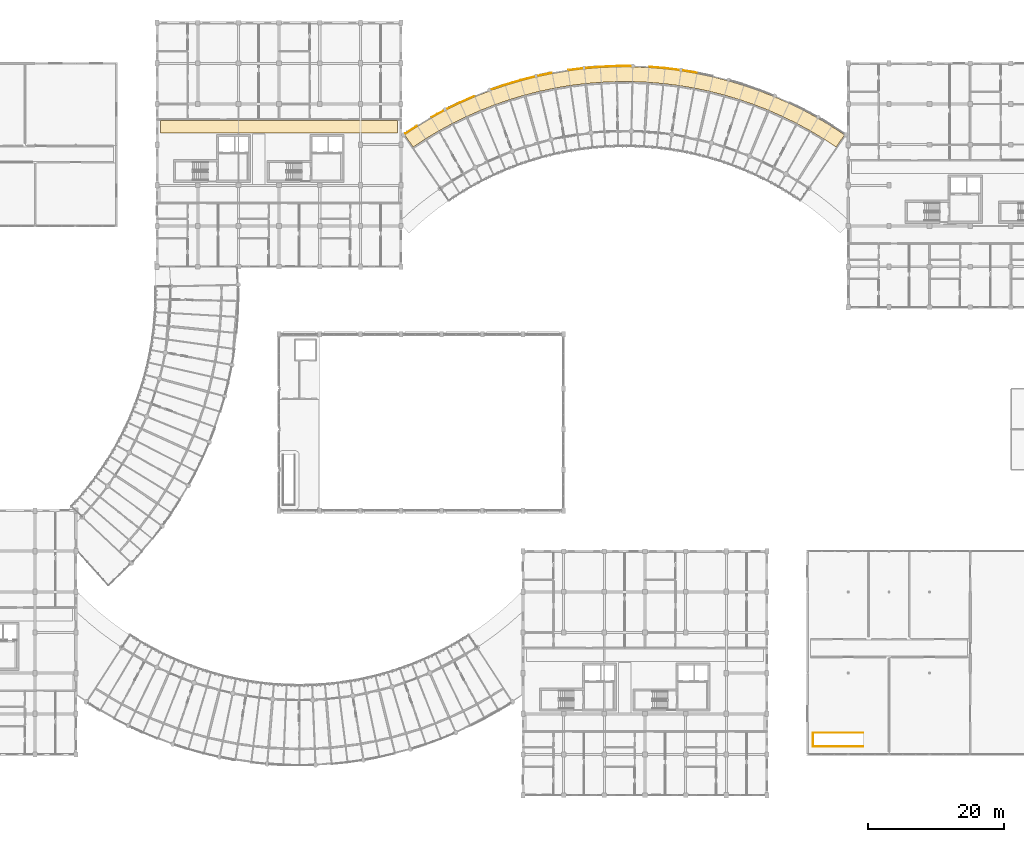
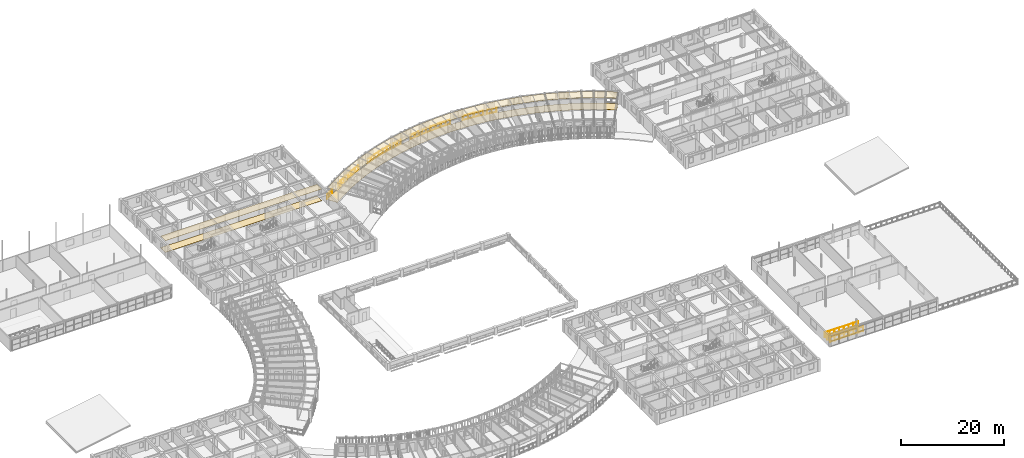
# One storey, part 133 of 137: 18 railings, 4 coverings.
"""IFC4 building model written with IfcOpenShell, lengths in metres."""

from ifc_helpers import new_model, si_unit, direction, frame, origin, origin_2d, place, context, subcontext, project, spatial, polyline, circle, outline, extrude, material, layer, layer_set, type_object, element, save


model = new_model("IFC4")

# Units and contexts
model_context = context("Model", 3, precision=1e-05, world=origin(), true_north=direction((0.0, 1.0)))
body_context = subcontext(model_context, "Body", "Model", "MODEL_VIEW")
ifc_project = project(units=[si_unit("LENGTHUNIT", "METRE"), si_unit("AREAUNIT", "SQUARE_METRE"), si_unit("VOLUMEUNIT", "CUBIC_METRE"), si_unit("PLANEANGLEUNIT", "RADIAN"), si_unit("MASSUNIT", "GRAM", prefix="KILO"), si_unit("POWERUNIT", "WATT"), si_unit("THERMODYNAMICTEMPERATUREUNIT", "KELVIN")], contexts=[model_context])

# Site, building, storey
site_placement = place(None, origin())
site = spatial("IfcSite", under=ifc_project, at=site_placement, CompositionType="ELEMENT")
building_placement = place(site_placement, origin())
building = spatial("IfcBuilding", under=site, at=building_placement, Name="Ruvembo Vaulted Housing Court", CompositionType="ELEMENT")
storey_placement = place(building_placement, frame((0.0, 0.0, 4.5)))
storey = spatial("IfcBuildingStorey", under=building, at=storey_placement, Name="L01", CompositionType="ELEMENT", Elevation=4.5)

# Coverings
ifc_material_1 = material(Name="Perforated Mineral-Fibre Acoustic Tile", Category="gypsum")
ifc_layer_1 = layer(ifc_material_1, 0.02001953125, Name="Perforated Mineral-Fibre Acoustic Tile")
ifc_layer_set_1 = layer_set([ifc_layer_1], Name="Perforated Mineral-Fibre Acoustic Tile")
covering_type_1 = type_object("IfcCoveringType", Name="COV-CEIL-ACOUST", PredefinedType="CEILING", material=ifc_layer_set_1)
covering_1_placement = place(storey_placement, frame((0.0, 0.0, 2.75)))
element("IfcCovering", 1, at=covering_1_placement, inside=storey, type_object=covering_type_1, Name="Block B L01 North Sub-Corridor Ceiling", PredefinedType="CEILING", context=body_context, shape_type="SweptSolid", body=[
    extrude(outline(polyline([(83.489990234375, 97.7099609375), (83.489990234375, 99.590087890625), (48.510009765625, 99.590087890625), (48.510009765625, 97.7099609375), (83.489990234375, 97.7099609375)])), origin(), (0.0, 0.0, 1.0), 0.02001953125),
])
covering_2_placement = place(storey_placement, frame((0.0, 0.0, 2.75)))
element("IfcCovering", 2, at=covering_2_placement, inside=storey, type_object=covering_type_1, Name="Scoop SC3 L01 Shaded Access Gallery Ceiling", PredefinedType="CEILING", context=body_context, shape_type="SweptSolid", body=[
    extrude(outline(polyline([(86.443115234375, 98.69677734375), (84.54052734375, 97.447021484375), (85.77490234375, 95.650390625), (87.599853515625, 96.848876953125), (87.603759765625, 96.851318359375), (89.5693359375, 98.02880859375), (89.5732421875, 98.031005859375), (91.5859375, 99.12548828125), (91.590087890625, 99.127685546875), (93.646484375, 100.137939453125), (93.650634765625, 100.139892578125), (95.747314453125, 101.06396484375), (95.751708984375, 101.065673828125), (97.884765625, 101.90185546875), (97.888916015625, 101.9033203125), (100.054931640625, 102.650390625), (100.059326171875, 102.65185546875), (102.25439453125, 103.30810546875), (102.2587890625, 103.309326171875), (104.4794921875, 103.874267578125), (104.48388671875, 103.875244140625), (106.725830078125, 104.347412109375), (106.73046875, 104.348388671875), (108.990234375, 104.72705078125), (108.99462890625, 104.7275390625), (111.26806640625, 105.01220703125), (111.272705078125, 105.0126953125), (113.55615234375, 105.20263671875), (113.560546875, 105.202880859375), (115.849853515625, 105.298095703125), (115.8544921875, 105.298095703125), (118.1455078125, 105.298095703125), (118.150146484375, 105.298095703125), (120.439453125, 105.202880859375), (120.44384765625, 105.20263671875), (122.727294921875, 105.0126953125), (122.73193359375, 105.01220703125), (125.00537109375, 104.7275390625), (125.009765625, 104.72705078125), (127.26953125, 104.348388671875), (127.274169921875, 104.347412109375), (129.51611328125, 103.875244140625), (129.5205078125, 103.874267578125), (131.7412109375, 103.309326171875), (131.74560546875, 103.30810546875), (133.940673828125, 102.65185546875), (133.945068359375, 102.650390625), (136.111083984375, 101.9033203125), (136.115234375, 101.90185546875), (138.248291015625, 101.065673828125), (138.252685546875, 101.06396484375), (140.349365234375, 100.139892578125), (140.353515625, 100.137939453125), (142.409912109375, 99.127685546875), (142.4140625, 99.12548828125), (144.4267578125, 98.031005859375), (144.4306640625, 98.02880859375), (146.396484375, 96.851318359375), (146.400390625, 96.848876953125), (148.22509765625, 95.650390625), (149.45947265625, 97.447021484375), (147.556884765625, 98.69677734375), (145.509765625, 99.9228515625), (143.41357421875, 101.06298828125), (141.271728515625, 102.114990234375), (139.088134765625, 103.077392578125), (136.866455078125, 103.948486328125), (134.610595703125, 104.726318359375), (132.324462890625, 105.409912109375), (130.01171875, 105.998046875), (127.6767578125, 106.489990234375), (125.3232421875, 106.88427734375), (122.955322265625, 107.1806640625), (120.577392578125, 107.378662109375), (118.193115234375, 107.4775390625), (115.806884765625, 107.4775390625), (113.422607421875, 107.378662109375), (111.044677734375, 107.1806640625), (108.6767578125, 106.88427734375), (106.3232421875, 106.489990234375), (103.98828125, 105.998046875), (101.675537109375, 105.409912109375), (99.389404296875, 104.726318359375), (97.133544921875, 103.948486328125), (94.911865234375, 103.077392578125), (92.728271484375, 102.114990234375), (90.58642578125, 101.06298828125), (88.490234375, 99.9228515625), (86.443115234375, 98.69677734375)])), origin(), (0.0, 0.0, 1.0), 0.02001953125),
])
ifc_material_2 = material(Name="Polished Cement-Aggregate Terrazzo", Category="stone")
ifc_layer_2 = layer(ifc_material_2, 0.02197265625, Name="Polished Cement-Aggregate Terrazzo")
ifc_layer_set_2 = layer_set([ifc_layer_2], Name="Polished Cement-Aggregate Terrazzo")
covering_type_2 = type_object("IfcCoveringType", Name="COV-FLR-CERAMIC", PredefinedType="FLOORING", material=ifc_layer_set_2)
covering_3_placement = place(storey_placement, origin())
element("IfcCovering", 3, at=covering_3_placement, inside=storey, type_object=covering_type_2, Name="Block B L01 North Sub-Corridor Flooring", PredefinedType="FLOORING", context=body_context, shape_type="SweptSolid", body=[
    extrude(outline(polyline([(83.489990234375, 97.7099609375), (83.489990234375, 99.590087890625), (48.510009765625, 99.590087890625), (48.510009765625, 97.7099609375), (83.489990234375, 97.7099609375)])), origin(), (0.0, 0.0, 1.0), 0.02197265625),
])
covering_4_placement = place(storey_placement, origin())
element("IfcCovering", 4, at=covering_4_placement, inside=storey, type_object=covering_type_2, Name="Scoop SC3 L01 Shaded Access Gallery Flooring", PredefinedType="FLOORING", context=body_context, shape_type="SweptSolid", body=[
    extrude(outline(polyline([(86.443115234375, 98.69677734375), (84.54052734375, 97.447021484375), (85.77490234375, 95.650390625), (87.599853515625, 96.848876953125), (87.603759765625, 96.851318359375), (89.5693359375, 98.02880859375), (89.5732421875, 98.031005859375), (91.5859375, 99.12548828125), (91.590087890625, 99.127685546875), (93.646484375, 100.137939453125), (93.650634765625, 100.139892578125), (95.747314453125, 101.06396484375), (95.751708984375, 101.065673828125), (97.884765625, 101.90185546875), (97.888916015625, 101.9033203125), (100.054931640625, 102.650390625), (100.059326171875, 102.65185546875), (102.25439453125, 103.30810546875), (102.2587890625, 103.309326171875), (104.4794921875, 103.874267578125), (104.48388671875, 103.875244140625), (106.725830078125, 104.347412109375), (106.73046875, 104.348388671875), (108.990234375, 104.72705078125), (108.99462890625, 104.7275390625), (111.26806640625, 105.01220703125), (111.272705078125, 105.0126953125), (113.55615234375, 105.20263671875), (113.560546875, 105.202880859375), (115.849853515625, 105.298095703125), (115.8544921875, 105.298095703125), (118.1455078125, 105.298095703125), (118.150146484375, 105.298095703125), (120.439453125, 105.202880859375), (120.44384765625, 105.20263671875), (122.727294921875, 105.0126953125), (122.73193359375, 105.01220703125), (125.00537109375, 104.7275390625), (125.009765625, 104.72705078125), (127.26953125, 104.348388671875), (127.274169921875, 104.347412109375), (129.51611328125, 103.875244140625), (129.5205078125, 103.874267578125), (131.7412109375, 103.309326171875), (131.74560546875, 103.30810546875), (133.940673828125, 102.65185546875), (133.945068359375, 102.650390625), (136.111083984375, 101.9033203125), (136.115234375, 101.90185546875), (138.248291015625, 101.065673828125), (138.252685546875, 101.06396484375), (140.349365234375, 100.139892578125), (140.353515625, 100.137939453125), (142.409912109375, 99.127685546875), (142.4140625, 99.12548828125), (144.4267578125, 98.031005859375), (144.4306640625, 98.02880859375), (146.396484375, 96.851318359375), (146.400390625, 96.848876953125), (148.22509765625, 95.650390625), (149.45947265625, 97.447021484375), (147.556884765625, 98.69677734375), (145.509765625, 99.9228515625), (143.41357421875, 101.06298828125), (141.271728515625, 102.114990234375), (139.088134765625, 103.077392578125), (136.866455078125, 103.948486328125), (134.610595703125, 104.726318359375), (132.324462890625, 105.409912109375), (130.01171875, 105.998046875), (127.6767578125, 106.489990234375), (125.3232421875, 106.88427734375), (122.955322265625, 107.1806640625), (120.577392578125, 107.378662109375), (118.193115234375, 107.4775390625), (115.806884765625, 107.4775390625), (113.422607421875, 107.378662109375), (111.044677734375, 107.1806640625), (108.6767578125, 106.88427734375), (106.3232421875, 106.489990234375), (103.98828125, 105.998046875), (101.675537109375, 105.409912109375), (99.389404296875, 104.726318359375), (97.133544921875, 103.948486328125), (94.911865234375, 103.077392578125), (92.728271484375, 102.114990234375), (90.58642578125, 101.06298828125), (88.490234375, 99.9228515625), (86.443115234375, 98.69677734375)])), origin(), (0.0, 0.0, 1.0), 0.02197265625),
])

# Railings
ifc_material_3 = material(Name="Galvanised Painted Steel and Laminated Glass", Category="steel")
ifc_layer_3 = layer(ifc_material_3, 0.070068359375, Name="Galvanised Painted Steel and Laminated Glass")
ifc_layer_set_3 = layer_set([ifc_layer_3], Name="Galvanised Painted Steel and Laminated Glass")
railing_type_1 = type_object("IfcRailingType", Name="RL-BALUST-1120", PredefinedType="BALUSTRADE", material=ifc_layer_set_3)
railing_1_placement = place(storey_placement, frame((84.6787109375, 97.66943359375, 0.0)))
element("IfcRailing", 5, at=railing_1_placement, inside=storey, type_object=railing_type_1, Name="L01 Perimeter Guard RL-EXT-L01-0585", PredefinedType="BALUSTRADE", context=body_context, shape_type="SweptSolid", body=[
    extrude(circle(Radius=0.02392578125, at=origin_2d()), frame((0.0, 0.0, 1.09619140625), z_axis=(0.835822843762, 0.548999247582, 0.0), x_axis=(-0.548999247582, 0.835822843762, 0.0)), (0.0, 0.0, 1.0), 1.990966796875),
    extrude(circle(Radius=0.01806640625, at=origin_2d()), frame((0.0, 0.0, 0.1201171875), z_axis=(0.835822843762, 0.548999247582, 0.0), x_axis=(-0.548999247582, 0.835822843762, 0.0)), (0.0, 0.0, 1.0), 1.990966796875),
    extrude(circle(Radius=0.02099609375, at=origin_2d()), origin(), (0.0, 0.0, 1.0), 1.072021484375),
    extrude(circle(Radius=0.02099609375, at=origin_2d()), frame((0.83203125, 0.54638671875, 0.0)), (0.0, 0.0, 1.0), 1.072021484375),
    extrude(circle(Radius=0.02099609375, at=origin_2d()), frame((1.6640625, 1.093017578125, 0.0)), (0.0, 0.0, 1.0), 1.072021484375),
])
railing_2_placement = place(storey_placement, frame((88.4794921875, 100.042236328125, 0.0)))
element("IfcRailing", 6, at=railing_2_placement, inside=storey, type_object=railing_type_1, Name="L01 Perimeter Guard RL-EXT-L01-0586", PredefinedType="BALUSTRADE", context=body_context, shape_type="SweptSolid", body=[
    extrude(circle(Radius=0.02392578125, at=origin_2d()), frame((0.0, 0.0, 1.09619140625), z_axis=(0.878494737544, 0.477752023656, 0.0), x_axis=(-0.477752023656, 0.878494737544, 0.0)), (0.0, 0.0, 1.0), 1.990966796875),
    extrude(circle(Radius=0.01806640625, at=origin_2d()), frame((0.0, 0.0, 0.1201171875), z_axis=(0.878494737544, 0.477752023656, 0.0), x_axis=(-0.477752023656, 0.878494737544, 0.0)), (0.0, 0.0, 1.0), 1.990966796875),
    extrude(circle(Radius=0.02099609375, at=origin_2d()), origin(), (0.0, 0.0, 1.0), 1.072021484375),
    extrude(circle(Radius=0.02099609375, at=origin_2d()), frame((0.87451171875, 0.4755859375, 0.0)), (0.0, 0.0, 1.0), 1.072021484375),
    extrude(circle(Radius=0.02099609375, at=origin_2d()), frame((1.7490234375, 0.951171875, 0.0)), (0.0, 0.0, 1.0), 1.072021484375),
])
railing_3_placement = place(storey_placement, frame((90.85009765625, 101.31494140625, 0.0)))
element("IfcRailing", 7, at=railing_3_placement, inside=storey, type_object=railing_type_1, Name="L01 Perimeter Guard RL-EXT-L01-0587", PredefinedType="BALUSTRADE", context=body_context, shape_type="SweptSolid", body=[
    extrude(circle(Radius=0.02392578125, at=origin_2d()), frame((0.0, 0.0, 1.09619140625), z_axis=(0.897520268648, 0.440973204817, 0.0), x_axis=(-0.440973204817, 0.897520268648, 0.0)), (0.0, 0.0, 1.0), 1.990966796875),
    extrude(circle(Radius=0.01806640625, at=origin_2d()), frame((0.0, 0.0, 0.1201171875), z_axis=(0.897520268648, 0.440973204817, 0.0), x_axis=(-0.440973204817, 0.897520268648, 0.0)), (0.0, 0.0, 1.0), 1.990966796875),
    extrude(circle(Radius=0.02099609375, at=origin_2d()), origin(), (0.0, 0.0, 1.0), 1.072021484375),
    extrude(circle(Radius=0.02099609375, at=origin_2d()), frame((0.8935546875, 0.43896484375, 0.0)), (0.0, 0.0, 1.0), 1.072021484375),
    extrude(circle(Radius=0.02099609375, at=origin_2d()), frame((1.786865234375, 0.8779296875, 0.0)), (0.0, 0.0, 1.0), 1.072021484375),
])
railing_4_placement = place(storey_placement, frame((92.7275390625, 102.235107421875, 0.0)))
element("IfcRailing", 8, at=railing_4_placement, inside=storey, type_object=railing_type_1, Name="L01 Perimeter Guard RL-EXT-L01-0588", PredefinedType="BALUSTRADE", context=body_context, shape_type="SweptSolid", body=[
    extrude(circle(Radius=0.02392578125, at=origin_2d()), frame((0.0, 0.0, 1.09619140625), z_axis=(0.915112182251, 0.403199322788, 0.0), x_axis=(-0.403199322788, 0.915112182251, 0.0)), (0.0, 0.0, 1.0), 2.29052734375),
    extrude(circle(Radius=0.01806640625, at=origin_2d()), frame((0.0, 0.0, 0.1201171875), z_axis=(0.915112182251, 0.403199322788, 0.0), x_axis=(-0.403199322788, 0.915112182251, 0.0)), (0.0, 0.0, 1.0), 2.29052734375),
    extrude(circle(Radius=0.02099609375, at=origin_2d()), origin(), (0.0, 0.0, 1.0), 1.072021484375),
    extrude(circle(Radius=0.02099609375, at=origin_2d()), frame((1.048095703125, 0.4619140625, 0.0)), (0.0, 0.0, 1.0), 1.072021484375),
    extrude(circle(Radius=0.02099609375, at=origin_2d()), frame((2.09619140625, 0.923583984375, 0.0)), (0.0, 0.0, 1.0), 1.072021484375),
])
railing_5_placement = place(storey_placement, frame((97.426513671875, 104.165771484375, 0.0)))
element("IfcRailing", 9, at=railing_5_placement, inside=storey, type_object=railing_type_1, Name="L01 Perimeter Guard RL-EXT-L01-0589", PredefinedType="BALUSTRADE", context=body_context, shape_type="SweptSolid", body=[
    extrude(circle(Radius=0.02392578125, at=origin_2d()), frame((0.0, 0.0, 1.09619140625), z_axis=(0.945370374838, 0.325998242906, 0.0), x_axis=(-0.325998242906, 0.945370374838, 0.0)), (0.0, 0.0, 1.0), 1.990478515625),
    extrude(circle(Radius=0.01806640625, at=origin_2d()), frame((0.0, 0.0, 0.1201171875), z_axis=(0.945370374838, 0.325998242906, 0.0), x_axis=(-0.325998242906, 0.945370374838, 0.0)), (0.0, 0.0, 1.0), 1.990478515625),
    extrude(circle(Radius=0.02099609375, at=origin_2d()), origin(), (0.0, 0.0, 1.0), 1.072021484375),
    extrude(circle(Radius=0.02099609375, at=origin_2d()), frame((0.94091796875, 0.324462890625, 0.0)), (0.0, 0.0, 1.0), 1.072021484375),
    extrude(circle(Radius=0.02099609375, at=origin_2d()), frame((1.8818359375, 0.64892578125, 0.0)), (0.0, 0.0, 1.0), 1.072021484375),
])
railing_6_placement = place(storey_placement, frame((99.403564453125, 104.84521484375, 0.0)))
element("IfcRailing", 10, at=railing_6_placement, inside=storey, type_object=railing_type_1, Name="L01 Perimeter Guard RL-EXT-L01-0590", PredefinedType="BALUSTRADE", context=body_context, shape_type="SweptSolid", body=[
    extrude(circle(Radius=0.02392578125, at=origin_2d()), frame((0.0, 0.0, 1.09619140625), z_axis=(0.958060614502, 0.28656562763, 0.0), x_axis=(-0.28656562763, 0.958060614502, 0.0)), (0.0, 0.0, 1.0), 2.291015625),
    extrude(circle(Radius=0.01806640625, at=origin_2d()), frame((0.0, 0.0, 0.1201171875), z_axis=(0.958060614502, 0.28656562763, 0.0), x_axis=(-0.28656562763, 0.958060614502, 0.0)), (0.0, 0.0, 1.0), 2.291015625),
    extrude(circle(Radius=0.02099609375, at=origin_2d()), origin(), (0.0, 0.0, 1.0), 1.072021484375),
    extrude(circle(Radius=0.02099609375, at=origin_2d()), frame((1.097412109375, 0.328125, 0.0)), (0.0, 0.0, 1.0), 1.072021484375),
    extrude(circle(Radius=0.02099609375, at=origin_2d()), frame((2.19482421875, 0.656494140625, 0.0)), (0.0, 0.0, 1.0), 1.072021484375),
])
railing_7_placement = place(storey_placement, frame((101.69482421875, 105.5283203125, 0.0)))
element("IfcRailing", 11, at=railing_7_placement, inside=storey, type_object=railing_type_1, Name="L01 Perimeter Guard RL-EXT-L01-0591", PredefinedType="BALUSTRADE", context=body_context, shape_type="SweptSolid", body=[
    extrude(circle(Radius=0.02392578125, at=origin_2d()), frame((0.0, 0.0, 1.09619140625), z_axis=(0.969146191612, 0.246486631044, 0.0), x_axis=(-0.246486631044, 0.969146191612, 0.0)), (0.0, 0.0, 1.0), 1.990966796875),
    extrude(circle(Radius=0.01806640625, at=origin_2d()), frame((0.0, 0.0, 0.1201171875), z_axis=(0.969146191612, 0.246486631044, 0.0), x_axis=(-0.246486631044, 0.969146191612, 0.0)), (0.0, 0.0, 1.0), 1.990966796875),
    extrude(circle(Radius=0.02099609375, at=origin_2d()), origin(), (0.0, 0.0, 1.0), 1.072021484375),
    extrude(circle(Radius=0.02099609375, at=origin_2d()), frame((0.96484375, 0.245361328125, 0.0)), (0.0, 0.0, 1.0), 1.072021484375),
    extrude(circle(Radius=0.02099609375, at=origin_2d()), frame((1.929443359375, 0.49072265625, 0.0)), (0.0, 0.0, 1.0), 1.072021484375),
])
railing_8_placement = place(storey_placement, frame((104.305908203125, 106.177490234375, 0.0)))
element("IfcRailing", 12, at=railing_8_placement, inside=storey, type_object=railing_type_1, Name="L01 Perimeter Guard RL-EXT-L01-0592", PredefinedType="BALUSTRADE", context=body_context, shape_type="SweptSolid", body=[
    extrude(circle(Radius=0.02392578125, at=origin_2d()), frame((0.0, 0.0, 1.09619140625), z_axis=(0.978544579794, 0.206035204168, 0.0), x_axis=(-0.206035204168, 0.978544579794, 0.0)), (0.0, 0.0, 1.0), 1.99072265625),
    extrude(circle(Radius=0.01806640625, at=origin_2d()), frame((0.0, 0.0, 0.1201171875), z_axis=(0.978544579794, 0.206035204168, 0.0), x_axis=(-0.206035204168, 0.978544579794, 0.0)), (0.0, 0.0, 1.0), 1.99072265625),
    extrude(circle(Radius=0.02099609375, at=origin_2d()), origin(), (0.0, 0.0, 1.0), 1.072021484375),
    extrude(circle(Radius=0.02099609375, at=origin_2d()), frame((0.97412109375, 0.205078125, 0.0)), (0.0, 0.0, 1.0), 1.072021484375),
    extrude(circle(Radius=0.02099609375, at=origin_2d()), frame((1.947998046875, 0.41015625, 0.0)), (0.0, 0.0, 1.0), 1.072021484375),
])
railing_9_placement = place(storey_placement, frame((108.71044921875, 106.99951171875, 0.0)))
element("IfcRailing", 13, at=railing_9_placement, inside=storey, type_object=railing_type_1, Name="L01 Perimeter Guard RL-EXT-L01-0593", PredefinedType="BALUSTRADE", context=body_context, shape_type="SweptSolid", body=[
    extrude(circle(Radius=0.02392578125, at=origin_2d()), frame((0.0, 0.0, 1.09619140625), z_axis=(0.99226844011, 0.124110204102, 0.0), x_axis=(-0.124110204102, 0.99226844011, 0.0)), (0.0, 0.0, 1.0), 1.99072265625),
    extrude(circle(Radius=0.01806640625, at=origin_2d()), frame((0.0, 0.0, 0.1201171875), z_axis=(0.99226844011, 0.124110204102, 0.0), x_axis=(-0.124110204102, 0.99226844011, 0.0)), (0.0, 0.0, 1.0), 1.99072265625),
    extrude(circle(Radius=0.02099609375, at=origin_2d()), origin(), (0.0, 0.0, 1.0), 1.072021484375),
    extrude(circle(Radius=0.02099609375, at=origin_2d()), frame((0.98779296875, 0.12353515625, 0.0)), (0.0, 0.0, 1.0), 1.072021484375),
    extrude(circle(Radius=0.02099609375, at=origin_2d()), frame((1.975341796875, 0.2470703125, 0.0)), (0.0, 0.0, 1.0), 1.072021484375),
])
railing_10_placement = place(storey_placement, frame((111.382080078125, 107.319091796875, 0.0)))
element("IfcRailing", 14, at=railing_10_placement, inside=storey, type_object=railing_type_1, Name="L01 Perimeter Guard RL-EXT-L01-0594", PredefinedType="BALUSTRADE", context=body_context, shape_type="SweptSolid", body=[
    extrude(circle(Radius=0.02392578125, at=origin_2d()), frame((0.0, 0.0, 1.09619140625), z_axis=(0.996547449582, 0.083025181315, 0.0), x_axis=(-0.083025181315, 0.996547449582, 0.0)), (0.0, 0.0, 1.0), 1.99072265625),
    extrude(circle(Radius=0.01806640625, at=origin_2d()), frame((0.0, 0.0, 0.1201171875), z_axis=(0.996547449582, 0.083025181315, 0.0), x_axis=(-0.083025181315, 0.996547449582, 0.0)), (0.0, 0.0, 1.0), 1.99072265625),
    extrude(circle(Radius=0.02099609375, at=origin_2d()), origin(), (0.0, 0.0, 1.0), 1.072021484375),
    extrude(circle(Radius=0.02099609375, at=origin_2d()), frame((0.991943359375, 0.08251953125, 0.0)), (0.0, 0.0, 1.0), 1.072021484375),
    extrude(circle(Radius=0.02099609375, at=origin_2d()), frame((1.98388671875, 0.165283203125, 0.0)), (0.0, 0.0, 1.0), 1.072021484375),
])
railing_11_placement = place(storey_placement, frame((113.4658203125, 107.490478515625, 0.0)))
element("IfcRailing", 15, at=railing_11_placement, inside=storey, type_object=railing_type_1, Name="L01 Perimeter Guard RL-EXT-L01-0595", PredefinedType="BALUSTRADE", context=body_context, shape_type="SweptSolid", body=[
    extrude(circle(Radius=0.02392578125, at=origin_2d()), frame((0.0, 0.0, 1.09619140625), z_axis=(0.999140261642, 0.041457659923, 0.0), x_axis=(-0.041457659923, 0.999140261642, 0.0)), (0.0, 0.0, 1.0), 2.290771484375),
    extrude(circle(Radius=0.01806640625, at=origin_2d()), frame((0.0, 0.0, 0.1201171875), z_axis=(0.999140261642, 0.041457659923, 0.0), x_axis=(-0.041457659923, 0.999140261642, 0.0)), (0.0, 0.0, 1.0), 2.290771484375),
    extrude(circle(Radius=0.02099609375, at=origin_2d()), origin(), (0.0, 0.0, 1.0), 1.072021484375),
    extrude(circle(Radius=0.02099609375, at=origin_2d()), frame((1.14453125, 0.04736328125, 0.0)), (0.0, 0.0, 1.0), 1.072021484375),
    extrude(circle(Radius=0.02099609375, at=origin_2d()), frame((2.288818359375, 0.094970703125, 0.0)), (0.0, 0.0, 1.0), 1.072021484375),
])
railing_12_placement = place(storey_placement, frame((115.8544921875, 107.587646484375, 0.0)))
element("IfcRailing", 16, at=railing_12_placement, inside=storey, type_object=railing_type_1, Name="L01 Perimeter Guard RL-EXT-L01-0596", PredefinedType="BALUSTRADE", context=body_context, shape_type="SweptSolid", body=[
    extrude(circle(Radius=0.02392578125, at=origin_2d()), frame((0.0, 0.0, 1.09619140625), z_axis=(1.0, 0.0, 0.0), x_axis=(0.0, 1.0, 0.0)), (0.0, 0.0, 1.0), 1.990966796875),
    extrude(circle(Radius=0.01806640625, at=origin_2d()), frame((0.0, 0.0, 0.1201171875), z_axis=(1.0, 0.0, 0.0), x_axis=(0.0, 1.0, 0.0)), (0.0, 0.0, 1.0), 1.990966796875),
    extrude(circle(Radius=0.02099609375, at=origin_2d()), origin(), (0.0, 0.0, 1.0), 1.072021484375),
    extrude(circle(Radius=0.02099609375, at=origin_2d()), frame((0.99560546875, 0.0, 0.0)), (0.0, 0.0, 1.0), 1.072021484375),
    extrude(circle(Radius=0.02099609375, at=origin_2d()), frame((1.990966796875, 0.0, 0.0)), (0.0, 0.0, 1.0), 1.072021484375),
])
railing_13_placement = place(storey_placement, frame((120.634033203125, 107.484375, 0.0)))
element("IfcRailing", 17, at=railing_13_placement, inside=storey, type_object=railing_type_1, Name="L01 Perimeter Guard RL-EXT-L01-0597", PredefinedType="BALUSTRADE", context=body_context, shape_type="SweptSolid", body=[
    extrude(circle(Radius=0.02392578125, at=origin_2d()), frame((0.0, 0.0, 1.09619140625), z_axis=(0.996547962816, -0.08301902075, 0.0), x_axis=(0.08301902075, 0.996547962816, 0.0)), (0.0, 0.0, 1.0), 2.290771484375),
    extrude(circle(Radius=0.01806640625, at=origin_2d()), frame((0.0, 0.0, 0.1201171875), z_axis=(0.996547962816, -0.08301902075, 0.0), x_axis=(0.08301902075, 0.996547962816, 0.0)), (0.0, 0.0, 1.0), 2.290771484375),
    extrude(circle(Radius=0.02099609375, at=origin_2d()), origin(), (0.0, 0.0, 1.0), 1.072021484375),
    extrude(circle(Radius=0.02099609375, at=origin_2d()), frame((1.1416015625, -0.09521484375, 0.0)), (0.0, 0.0, 1.0), 1.072021484375),
    extrude(circle(Radius=0.02099609375, at=origin_2d()), frame((2.282958984375, -0.190185546875, 0.0)), (0.0, 0.0, 1.0), 1.072021484375),
])
railing_14_placement = place(storey_placement, frame((123.016357421875, 107.283935546875, 0.0)))
element("IfcRailing", 18, at=railing_14_placement, inside=storey, type_object=railing_type_1, Name="L01 Perimeter Guard RL-EXT-L01-0598", PredefinedType="BALUSTRADE", context=body_context, shape_type="SweptSolid", body=[
    extrude(circle(Radius=0.02392578125, at=origin_2d()), frame((0.0, 0.0, 1.09619140625), z_axis=(0.992253329978, -0.124230950843, 0.0), x_axis=(0.124230950843, 0.992253329978, 0.0)), (0.0, 0.0, 1.0), 1.99072265625),
    extrude(circle(Radius=0.01806640625, at=origin_2d()), frame((0.0, 0.0, 0.1201171875), z_axis=(0.992253329978, -0.124230950843, 0.0), x_axis=(0.124230950843, 0.992253329978, 0.0)), (0.0, 0.0, 1.0), 1.99072265625),
    extrude(circle(Radius=0.02099609375, at=origin_2d()), origin(), (0.0, 0.0, 1.0), 1.072021484375),
    extrude(circle(Radius=0.02099609375, at=origin_2d()), frame((0.98779296875, -0.12353515625, 0.0)), (0.0, 0.0, 1.0), 1.072021484375),
    extrude(circle(Radius=0.02099609375, at=origin_2d()), frame((1.975341796875, -0.247314453125, 0.0)), (0.0, 0.0, 1.0), 1.072021484375),
])
railing_15_placement = place(storey_placement, frame((125.684326171875, 106.935302734375, 0.0)))
element("IfcRailing", 19, at=railing_15_placement, inside=storey, type_object=railing_type_1, Name="L01 Perimeter Guard RL-EXT-L01-0599", PredefinedType="BALUSTRADE", context=body_context, shape_type="SweptSolid", body=[
    extrude(circle(Radius=0.02392578125, at=origin_2d()), frame((0.0, 0.0, 1.09619140625), z_axis=(0.986241032893, -0.165313717028, 0.0), x_axis=(0.165313717028, 0.986241032893, 0.0)), (0.0, 0.0, 1.0), 1.99072265625),
    extrude(circle(Radius=0.01806640625, at=origin_2d()), frame((0.0, 0.0, 0.1201171875), z_axis=(0.986241032893, -0.165313717028, 0.0), x_axis=(0.165313717028, 0.986241032893, 0.0)), (0.0, 0.0, 1.0), 1.99072265625),
    extrude(circle(Radius=0.02099609375, at=origin_2d()), origin(), (0.0, 0.0, 1.0), 1.072021484375),
    extrude(circle(Radius=0.02099609375, at=origin_2d()), frame((0.981689453125, -0.16455078125, 0.0)), (0.0, 0.0, 1.0), 1.072021484375),
    extrude(circle(Radius=0.02099609375, at=origin_2d()), frame((1.96337890625, -0.3291015625, 0.0)), (0.0, 0.0, 1.0), 1.072021484375),
])
ifc_material_4 = material(Name="Painted Galvanised Steel S275", Category="steel")
ifc_layer_4 = layer(ifc_material_4, 0.06005859375, Name="Painted Galvanised Steel S275")
ifc_layer_set_4 = layer_set([ifc_layer_4], Name="Painted Galvanised Steel S275")
railing_type_2 = type_object("IfcRailingType", Name="RL-STAIR-GR1100", PredefinedType="GUARDRAIL", material=ifc_layer_set_4)
railing_16_placement = place(storey_placement, frame((152.219970703125, 7.199951171875, 0.0)))
element("IfcRailing", 20, at=railing_16_placement, inside=storey, type_object=railing_type_2, Name="Shops Pavilion Mezzanine Stair L01 Well Guard 1", PredefinedType="GUARDRAIL", context=body_context, shape_type="SweptSolid", body=[
    extrude(circle(Radius=0.02392578125, at=origin_2d()), frame((0.0, 0.0, 1.09619140625), z_axis=(-1.0, 0.0, 0.0), x_axis=(0.0, -1.0, 0.0)), (0.0, 0.0, 1.0), 7.419921875),
    extrude(circle(Radius=0.01806640625, at=origin_2d()), frame((0.0, 0.0, 0.1201171875), z_axis=(-1.0, 0.0, 0.0), x_axis=(0.0, -1.0, 0.0)), (0.0, 0.0, 1.0), 7.419921875),
    extrude(circle(Radius=0.02099609375, at=origin_2d()), origin(), (0.0, 0.0, 1.0), 1.072021484375),
    extrude(circle(Radius=0.02099609375, at=origin_2d()), frame((-1.06005859375, 0.0, 0.0)), (0.0, 0.0, 1.0), 1.072021484375),
    extrude(circle(Radius=0.02099609375, at=origin_2d()), frame((-2.119873046875, 0.0, 0.0)), (0.0, 0.0, 1.0), 1.072021484375),
    extrude(circle(Radius=0.02099609375, at=origin_2d()), frame((-3.179931640625, 0.0, 0.0)), (0.0, 0.0, 1.0), 1.072021484375),
    extrude(circle(Radius=0.02099609375, at=origin_2d()), frame((-4.239990234375, 0.0, 0.0)), (0.0, 0.0, 1.0), 1.072021484375),
    extrude(circle(Radius=0.02099609375, at=origin_2d()), frame((-5.300048828125, 0.0, 0.0)), (0.0, 0.0, 1.0), 1.072021484375),
    extrude(circle(Radius=0.02099609375, at=origin_2d()), frame((-6.35986328125, 0.0, 0.0)), (0.0, 0.0, 1.0), 1.072021484375),
    extrude(circle(Radius=0.02099609375, at=origin_2d()), frame((-7.419921875, 0.0, 0.0)), (0.0, 0.0, 1.0), 1.072021484375),
])
railing_17_placement = place(storey_placement, frame((144.800048828125, 7.199951171875, 0.0)))
element("IfcRailing", 21, at=railing_17_placement, inside=storey, type_object=railing_type_2, Name="Shops Pavilion Mezzanine Stair L01 Well Guard 2", PredefinedType="GUARDRAIL", context=body_context, shape_type="SweptSolid", body=[
    extrude(circle(Radius=0.02392578125, at=origin_2d()), frame((0.0, 0.0, 1.09619140625), z_axis=(0.0, 1.0, 0.0), x_axis=(-1.0, 0.0, 0.0)), (0.0, 0.0, 1.0), 2.0),
    extrude(circle(Radius=0.01806640625, at=origin_2d()), frame((0.0, 0.0, 0.1201171875), z_axis=(0.0, 1.0, 0.0), x_axis=(-1.0, 0.0, 0.0)), (0.0, 0.0, 1.0), 2.0),
    extrude(circle(Radius=0.02099609375, at=origin_2d()), origin(), (0.0, 0.0, 1.0), 1.072021484375),
    extrude(circle(Radius=0.02099609375, at=origin_2d()), frame((0.0, 1.0, 0.0)), (0.0, 0.0, 1.0), 1.072021484375),
    extrude(circle(Radius=0.02099609375, at=origin_2d()), frame((0.0, 2.0, 0.0)), (0.0, 0.0, 1.0), 1.072021484375),
])
railing_18_placement = place(storey_placement, frame((144.800048828125, 9.199951171875, 0.0)))
element("IfcRailing", 22, at=railing_18_placement, inside=storey, type_object=railing_type_2, Name="Shops Pavilion Mezzanine Stair L01 Well Guard 3", PredefinedType="GUARDRAIL", context=body_context, shape_type="SweptSolid", body=[
    extrude(circle(Radius=0.02392578125, at=origin_2d()), frame((0.0, 0.0, 1.09619140625), z_axis=(1.0, 0.0, 0.0), x_axis=(0.0, 1.0, 0.0)), (0.0, 0.0, 1.0), 7.419921875),
    extrude(circle(Radius=0.01806640625, at=origin_2d()), frame((0.0, 0.0, 0.1201171875), z_axis=(1.0, 0.0, 0.0), x_axis=(0.0, 1.0, 0.0)), (0.0, 0.0, 1.0), 7.419921875),
    extrude(circle(Radius=0.02099609375, at=origin_2d()), origin(), (0.0, 0.0, 1.0), 1.072021484375),
    extrude(circle(Radius=0.02099609375, at=origin_2d()), frame((1.06005859375, 0.0, 0.0)), (0.0, 0.0, 1.0), 1.072021484375),
    extrude(circle(Radius=0.02099609375, at=origin_2d()), frame((2.119873046875, 0.0, 0.0)), (0.0, 0.0, 1.0), 1.072021484375),
    extrude(circle(Radius=0.02099609375, at=origin_2d()), frame((3.179931640625, 0.0, 0.0)), (0.0, 0.0, 1.0), 1.072021484375),
    extrude(circle(Radius=0.02099609375, at=origin_2d()), frame((4.239990234375, 0.0, 0.0)), (0.0, 0.0, 1.0), 1.072021484375),
    extrude(circle(Radius=0.02099609375, at=origin_2d()), frame((5.300048828125, 0.0, 0.0)), (0.0, 0.0, 1.0), 1.072021484375),
    extrude(circle(Radius=0.02099609375, at=origin_2d()), frame((6.35986328125, 0.0, 0.0)), (0.0, 0.0, 1.0), 1.072021484375),
    extrude(circle(Radius=0.02099609375, at=origin_2d()), frame((7.419921875, 0.0, 0.0)), (0.0, 0.0, 1.0), 1.072021484375),
])

save(model, "model.ifc")
